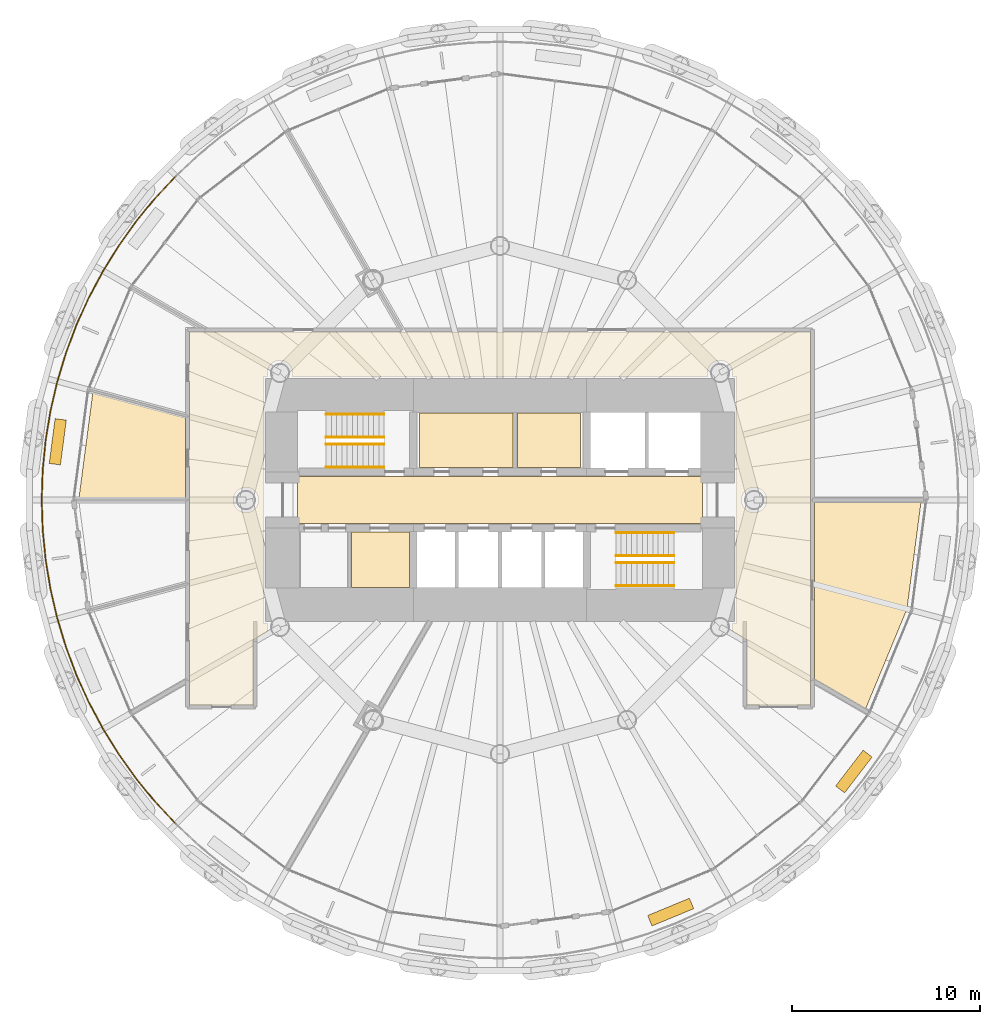
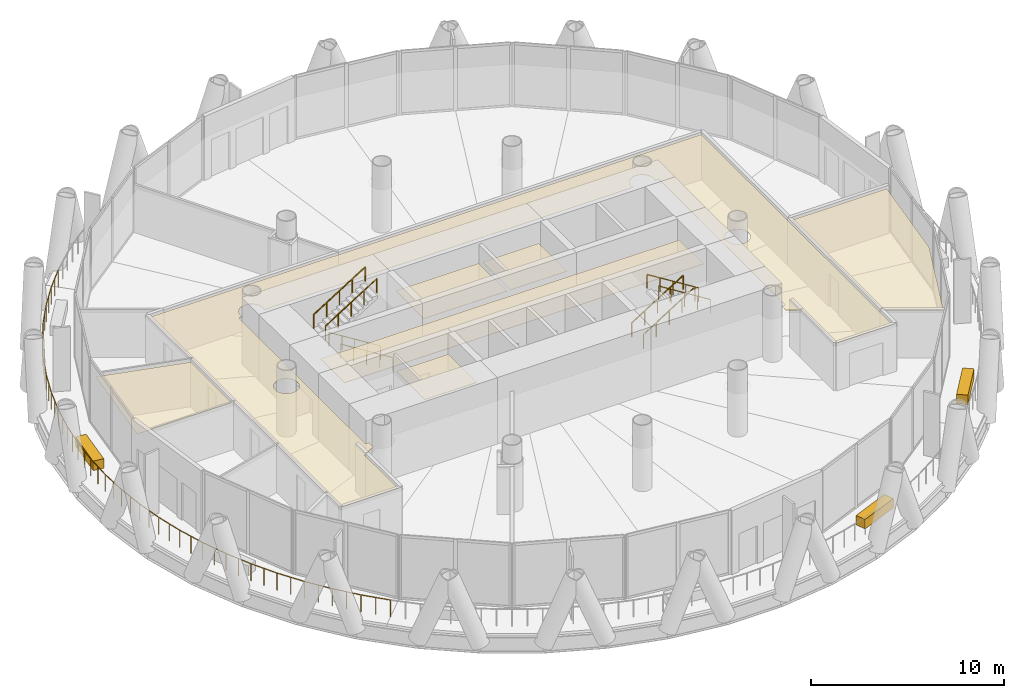
# One storey, part 13 of 15: 10 coverings, 9 railings.
"""IFC4 building model written with IfcOpenShell, lengths in metres."""

from ifc_helpers import new_model, si_unit, direction, frame, origin, origin_2d, place, context, subcontext, project, spatial, polyline, rectangle, circle, outline, extrude, material, layer, layer_set, type_object, element, save


model = new_model("IFC4")

# Units and contexts
model_context = context("Model", 3, precision=1e-05, world=origin(), true_north=direction((0.0, 1.0)))
body_context = subcontext(model_context, "Body", "Model", "MODEL_VIEW")
ifc_project = project(units=[si_unit("LENGTHUNIT", "METRE"), si_unit("AREAUNIT", "SQUARE_METRE"), si_unit("VOLUMEUNIT", "CUBIC_METRE"), si_unit("PLANEANGLEUNIT", "RADIAN"), si_unit("MASSUNIT", "GRAM", prefix="KILO")], contexts=[model_context])

# Site, building, storey
site_placement = place(None, origin())
site = spatial("IfcSite", under=ifc_project, at=site_placement, CompositionType="ELEMENT")
building_placement = place(site_placement, origin())
building = spatial("IfcBuilding", under=site, at=building_placement, Name="Qaws Media Tower", CompositionType="ELEMENT")
storey_placement = place(building_placement, frame((0.0, 0.0, 131.0)))
storey = spatial("IfcBuildingStorey", under=building, at=storey_placement, Name="L29", CompositionType="ELEMENT", Elevation=131.0)

# Railing
ifc_material_1 = material(Name="Stainless steel and glass guard", Category="steel")
railing_type_1 = type_object("IfcRailingType", Name="Balcony guard 1100", PredefinedType="GUARDRAIL", material=ifc_material_1)
railing_placement = place(storey_placement, frame((42.781982421875, 67.218017578125, 0.0)))
element("IfcRailing", 1, at=railing_placement, inside=storey, type_object=railing_type_1, Name="GR1 balcony guard L29-2", PredefinedType="GUARDRAIL", context=body_context, shape_type="SweptSolid", body=[
    extrude(circle(Radius=0.02392578125, at=origin_2d()), frame((0.0, 0.0, 1.076171875), z_axis=(-0.683670954783, -0.729790398393, 0.0), x_axis=(0.729790398393, -0.683670954783, 0.0)), (0.0, 0.0, 1.0), 1.593505859375),
    extrude(circle(Radius=0.02392578125, at=origin_2d()), frame((-1.08935546875, -1.162841796875, 1.076171875), z_axis=(-0.634288437516, -0.773096486885, 0.0), x_axis=(0.773096486885, -0.634288437516, 0.0)), (0.0, 0.0, 1.0), 1.593505859375),
    extrude(circle(Radius=0.02392578125, at=origin_2d()), frame((-2.10009765625, -2.394775390625, 1.076171875), z_axis=(-0.582527376855, -0.812811082119, 0.0), x_axis=(0.812811082119, -0.582527376855, 0.0)), (0.0, 0.0, 1.0), 1.593505859375),
    extrude(circle(Radius=0.02392578125, at=origin_2d()), frame((-3.0283203125, -3.68994140625, 1.076171875), z_axis=(-0.528041654639, -0.849218470693, 0.0), x_axis=(0.849218470693, -0.528041654639, 0.0)), (0.0, 0.0, 1.0), 1.59326171875),
    extrude(circle(Radius=0.02392578125, at=origin_2d()), frame((-3.86962890625, -5.04296875, 1.076171875), z_axis=(-0.471438909814, -0.88189872112, 0.0), x_axis=(0.88189872112, -0.471438909814, 0.0)), (0.0, 0.0, 1.0), 1.593505859375),
    extrude(circle(Radius=0.02392578125, at=origin_2d()), frame((-4.620849609375, -6.4482421875, 1.076171875), z_axis=(-0.412752224471, -0.910843346133, 0.0), x_axis=(0.910843346133, -0.412752224471, 0.0)), (0.0, 0.0, 1.0), 1.593505859375),
    extrude(circle(Radius=0.02392578125, at=origin_2d()), frame((-5.278564453125, -7.899658203125, 1.076171875), z_axis=(-0.352265024025, -0.935900290014, 0.0), x_axis=(0.935900290014, -0.352265024025, 0.0)), (0.0, 0.0, 1.0), 1.59326171875),
    extrude(circle(Radius=0.02392578125, at=origin_2d()), frame((-5.83984375, -9.390869140625, 1.076171875), z_axis=(-0.290185988747, -0.956970267007, 0.0), x_axis=(0.956970267007, -0.290185988747, 0.0)), (0.0, 0.0, 1.0), 1.593505859375),
    extrude(circle(Radius=0.02392578125, at=origin_2d()), frame((-6.30224609375, -10.915771484375, 1.076171875), z_axis=(-0.227074614975, -0.973877363549, 0.0), x_axis=(0.973877363549, -0.227074614975, 0.0)), (0.0, 0.0, 1.0), 1.59326171875),
    extrude(circle(Radius=0.02392578125, at=origin_2d()), frame((-6.6640625, -12.467529296875, 1.076171875), z_axis=(-0.162858441071, -0.986649445432, 0.0), x_axis=(0.986649445432, -0.162858441071, 0.0)), (0.0, 0.0, 1.0), 1.593505859375),
    extrude(circle(Radius=0.02392578125, at=origin_2d()), frame((-6.923583984375, -14.039794921875, 1.076171875), z_axis=(-0.09806241273, -0.99518026669, 0.0), x_axis=(0.99518026669, -0.09806241273, 0.0)), (0.0, 0.0, 1.0), 1.59326171875),
    extrude(circle(Radius=0.02392578125, at=origin_2d()), frame((-7.079833984375, -15.62548828125, 1.076171875), z_axis=(-0.032789349828, -0.9994622847, 0.0), x_axis=(0.9994622847, -0.032789349828, 0.0)), (0.0, 0.0, 1.0), 1.593505859375),
    extrude(circle(Radius=0.02392578125, at=origin_2d()), frame((-7.132080078125, -17.218017578125, 1.076171875), z_axis=(0.032789349828, -0.9994622847, 0.0), x_axis=(0.9994622847, 0.032789349828, 0.0)), (0.0, 0.0, 1.0), 1.593505859375),
    extrude(circle(Radius=0.02392578125, at=origin_2d()), frame((-7.079833984375, -18.810546875, 1.076171875), z_axis=(0.09806241273, -0.99518026669, 0.0), x_axis=(0.99518026669, 0.09806241273, 0.0)), (0.0, 0.0, 1.0), 1.59326171875),
    extrude(circle(Radius=0.02392578125, at=origin_2d()), frame((-6.923583984375, -20.396240234375, 1.076171875), z_axis=(0.162858441071, -0.986649445432, 0.0), x_axis=(0.986649445432, 0.162858441071, 0.0)), (0.0, 0.0, 1.0), 1.593505859375),
    extrude(circle(Radius=0.02392578125, at=origin_2d()), frame((-6.6640625, -21.968505859375, 1.076171875), z_axis=(0.227074614975, -0.973877363549, 0.0), x_axis=(0.973877363549, 0.227074614975, 0.0)), (0.0, 0.0, 1.0), 1.59326171875),
    extrude(circle(Radius=0.02392578125, at=origin_2d()), frame((-6.30224609375, -23.520263671875, 1.076171875), z_axis=(0.290185988747, -0.956970267007, 0.0), x_axis=(0.956970267007, 0.290185988747, 0.0)), (0.0, 0.0, 1.0), 1.593505859375),
    extrude(circle(Radius=0.02392578125, at=origin_2d()), frame((-5.83984375, -25.045166015625, 1.076171875), z_axis=(0.352265024025, -0.935900290014, 0.0), x_axis=(0.935900290014, 0.352265024025, 0.0)), (0.0, 0.0, 1.0), 1.59326171875),
    extrude(circle(Radius=0.02392578125, at=origin_2d()), frame((-5.278564453125, -26.536376953125, 1.076171875), z_axis=(0.412752224471, -0.910843346133, 0.0), x_axis=(0.910843346133, 0.412752224471, 0.0)), (0.0, 0.0, 1.0), 1.593505859375),
    extrude(circle(Radius=0.02392578125, at=origin_2d()), frame((-4.620849609375, -27.98779296875, 1.076171875), z_axis=(0.471438909814, -0.88189872112, 0.0), x_axis=(0.88189872112, 0.471438909814, 0.0)), (0.0, 0.0, 1.0), 1.593505859375),
    extrude(circle(Radius=0.02392578125, at=origin_2d()), frame((-3.86962890625, -29.39306640625, 1.076171875), z_axis=(0.528041654639, -0.849218470693, 0.0), x_axis=(0.849218470693, 0.528041654639, 0.0)), (0.0, 0.0, 1.0), 1.59326171875),
    extrude(circle(Radius=0.02392578125, at=origin_2d()), frame((-3.0283203125, -30.74609375, 1.076171875), z_axis=(0.582527376855, -0.812811082119, 0.0), x_axis=(0.812811082119, 0.582527376855, 0.0)), (0.0, 0.0, 1.0), 1.593505859375),
    extrude(circle(Radius=0.02392578125, at=origin_2d()), frame((-2.10009765625, -32.041259765625, 1.076171875), z_axis=(0.634288437516, -0.773096486885, 0.0), x_axis=(0.773096486885, 0.634288437516, 0.0)), (0.0, 0.0, 1.0), 1.593505859375),
    extrude(circle(Radius=0.02392578125, at=origin_2d()), frame((-1.08935546875, -33.273193359375, 1.076171875), z_axis=(0.683670954783, -0.729790398393, 0.0), x_axis=(0.729790398393, 0.683670954783, 0.0)), (0.0, 0.0, 1.0), 1.593505859375),
    extrude(circle(Radius=0.02099609375, at=origin_2d()), origin(), (0.0, 0.0, 1.0), 1.052001953125),
    extrude(circle(Radius=0.02099609375, at=origin_2d()), frame((-0.544677734375, -0.58154296875, 0.0)), (0.0, 0.0, 1.0), 1.052001953125),
    extrude(circle(Radius=0.02099609375, at=origin_2d()), frame((-1.08935546875, -1.162841796875, 0.0)), (0.0, 0.0, 1.0), 1.052001953125),
    extrude(circle(Radius=0.02099609375, at=origin_2d()), frame((-1.5947265625, -1.77880859375, 0.0)), (0.0, 0.0, 1.0), 1.052001953125),
    extrude(circle(Radius=0.02099609375, at=origin_2d()), frame((-2.10009765625, -2.394775390625, 0.0)), (0.0, 0.0, 1.0), 1.052001953125),
    extrude(circle(Radius=0.02099609375, at=origin_2d()), frame((-2.564208984375, -3.04248046875, 0.0)), (0.0, 0.0, 1.0), 1.052001953125),
    extrude(circle(Radius=0.02099609375, at=origin_2d()), frame((-3.0283203125, -3.68994140625, 0.0)), (0.0, 0.0, 1.0), 1.052001953125),
    extrude(circle(Radius=0.02099609375, at=origin_2d()), frame((-3.448974609375, -4.366455078125, 0.0)), (0.0, 0.0, 1.0), 1.052001953125),
    extrude(circle(Radius=0.02099609375, at=origin_2d()), frame((-3.86962890625, -5.04296875, 0.0)), (0.0, 0.0, 1.0), 1.052001953125),
    extrude(circle(Radius=0.02099609375, at=origin_2d()), frame((-4.2451171875, -5.74560546875, 0.0)), (0.0, 0.0, 1.0), 1.052001953125),
    extrude(circle(Radius=0.02099609375, at=origin_2d()), frame((-4.620849609375, -6.4482421875, 0.0)), (0.0, 0.0, 1.0), 1.052001953125),
    extrude(circle(Radius=0.02099609375, at=origin_2d()), frame((-4.94970703125, -7.173828125, 0.0)), (0.0, 0.0, 1.0), 1.052001953125),
    extrude(circle(Radius=0.02099609375, at=origin_2d()), frame((-5.278564453125, -7.899658203125, 0.0)), (0.0, 0.0, 1.0), 1.052001953125),
    extrude(circle(Radius=0.02099609375, at=origin_2d()), frame((-5.55908203125, -8.645263671875, 0.0)), (0.0, 0.0, 1.0), 1.052001953125),
    extrude(circle(Radius=0.02099609375, at=origin_2d()), frame((-5.83984375, -9.390869140625, 0.0)), (0.0, 0.0, 1.0), 1.052001953125),
    extrude(circle(Radius=0.02099609375, at=origin_2d()), frame((-6.071044921875, -10.1533203125, 0.0)), (0.0, 0.0, 1.0), 1.052001953125),
    extrude(circle(Radius=0.02099609375, at=origin_2d()), frame((-6.30224609375, -10.915771484375, 0.0)), (0.0, 0.0, 1.0), 1.052001953125),
    extrude(circle(Radius=0.02099609375, at=origin_2d()), frame((-6.483154296875, -11.691650390625, 0.0)), (0.0, 0.0, 1.0), 1.052001953125),
    extrude(circle(Radius=0.02099609375, at=origin_2d()), frame((-6.6640625, -12.467529296875, 0.0)), (0.0, 0.0, 1.0), 1.052001953125),
    extrude(circle(Radius=0.02099609375, at=origin_2d()), frame((-6.7939453125, -13.253662109375, 0.0)), (0.0, 0.0, 1.0), 1.052001953125),
    extrude(circle(Radius=0.02099609375, at=origin_2d()), frame((-6.923583984375, -14.039794921875, 0.0)), (0.0, 0.0, 1.0), 1.052001953125),
    extrude(circle(Radius=0.02099609375, at=origin_2d()), frame((-7.001708984375, -14.83251953125, 0.0)), (0.0, 0.0, 1.0), 1.052001953125),
    extrude(circle(Radius=0.02099609375, at=origin_2d()), frame((-7.079833984375, -15.62548828125, 0.0)), (0.0, 0.0, 1.0), 1.052001953125),
    extrude(circle(Radius=0.02099609375, at=origin_2d()), frame((-7.10595703125, -16.421875, 0.0)), (0.0, 0.0, 1.0), 1.052001953125),
    extrude(circle(Radius=0.02099609375, at=origin_2d()), frame((-7.132080078125, -17.218017578125, 0.0)), (0.0, 0.0, 1.0), 1.052001953125),
    extrude(circle(Radius=0.02099609375, at=origin_2d()), frame((-7.10595703125, -18.01416015625, 0.0)), (0.0, 0.0, 1.0), 1.052001953125),
    extrude(circle(Radius=0.02099609375, at=origin_2d()), frame((-7.079833984375, -18.810546875, 0.0)), (0.0, 0.0, 1.0), 1.052001953125),
    extrude(circle(Radius=0.02099609375, at=origin_2d()), frame((-7.001708984375, -19.603515625, 0.0)), (0.0, 0.0, 1.0), 1.052001953125),
    extrude(circle(Radius=0.02099609375, at=origin_2d()), frame((-6.923583984375, -20.396240234375, 0.0)), (0.0, 0.0, 1.0), 1.052001953125),
    extrude(circle(Radius=0.02099609375, at=origin_2d()), frame((-6.7939453125, -21.182373046875, 0.0)), (0.0, 0.0, 1.0), 1.052001953125),
    extrude(circle(Radius=0.02099609375, at=origin_2d()), frame((-6.6640625, -21.968505859375, 0.0)), (0.0, 0.0, 1.0), 1.052001953125),
    extrude(circle(Radius=0.02099609375, at=origin_2d()), frame((-6.483154296875, -22.744384765625, 0.0)), (0.0, 0.0, 1.0), 1.052001953125),
    extrude(circle(Radius=0.02099609375, at=origin_2d()), frame((-6.30224609375, -23.520263671875, 0.0)), (0.0, 0.0, 1.0), 1.052001953125),
    extrude(circle(Radius=0.02099609375, at=origin_2d()), frame((-6.071044921875, -24.28271484375, 0.0)), (0.0, 0.0, 1.0), 1.052001953125),
    extrude(circle(Radius=0.02099609375, at=origin_2d()), frame((-5.83984375, -25.045166015625, 0.0)), (0.0, 0.0, 1.0), 1.052001953125),
    extrude(circle(Radius=0.02099609375, at=origin_2d()), frame((-5.55908203125, -25.790771484375, 0.0)), (0.0, 0.0, 1.0), 1.052001953125),
    extrude(circle(Radius=0.02099609375, at=origin_2d()), frame((-5.278564453125, -26.536376953125, 0.0)), (0.0, 0.0, 1.0), 1.052001953125),
    extrude(circle(Radius=0.02099609375, at=origin_2d()), frame((-4.94970703125, -27.26220703125, 0.0)), (0.0, 0.0, 1.0), 1.052001953125),
    extrude(circle(Radius=0.02099609375, at=origin_2d()), frame((-4.620849609375, -27.98779296875, 0.0)), (0.0, 0.0, 1.0), 1.052001953125),
    extrude(circle(Radius=0.02099609375, at=origin_2d()), frame((-4.2451171875, -28.6904296875, 0.0)), (0.0, 0.0, 1.0), 1.052001953125),
    extrude(circle(Radius=0.02099609375, at=origin_2d()), frame((-3.86962890625, -29.39306640625, 0.0)), (0.0, 0.0, 1.0), 1.052001953125),
    extrude(circle(Radius=0.02099609375, at=origin_2d()), frame((-3.448974609375, -30.069580078125, 0.0)), (0.0, 0.0, 1.0), 1.052001953125),
    extrude(circle(Radius=0.02099609375, at=origin_2d()), frame((-3.0283203125, -30.74609375, 0.0)), (0.0, 0.0, 1.0), 1.052001953125),
    extrude(circle(Radius=0.02099609375, at=origin_2d()), frame((-2.564208984375, -31.3935546875, 0.0)), (0.0, 0.0, 1.0), 1.052001953125),
    extrude(circle(Radius=0.02099609375, at=origin_2d()), frame((-2.10009765625, -32.041259765625, 0.0)), (0.0, 0.0, 1.0), 1.052001953125),
    extrude(circle(Radius=0.02099609375, at=origin_2d()), frame((-1.5947265625, -32.6572265625, 0.0)), (0.0, 0.0, 1.0), 1.052001953125),
    extrude(circle(Radius=0.02099609375, at=origin_2d()), frame((-1.08935546875, -33.273193359375, 0.0)), (0.0, 0.0, 1.0), 1.052001953125),
    extrude(circle(Radius=0.02099609375, at=origin_2d()), frame((-0.544677734375, -33.8544921875, 0.0)), (0.0, 0.0, 1.0), 1.052001953125),
    extrude(circle(Radius=0.02099609375, at=origin_2d()), frame((0.0, -34.43603515625, 0.0)), (0.0, 0.0, 1.0), 1.052001953125),
])

# Coverings
ifc_material_2 = material(Name="600 x 600 mineral fibre tiles in exposed grid, suspended", Category="mineral fibre")
ifc_layer_1 = layer(ifc_material_2, 0.02001953125)
ifc_layer_set_1 = layer_set([ifc_layer_1], Name="Mineral fibre tile ceiling 20")
covering_type_1 = type_object("IfcCoveringType", Name="Mineral fibre tile ceiling 20", PredefinedType="CEILING", material=ifc_layer_set_1)
covering_1_placement = place(storey_placement, frame((0.0, 0.0, 2.85009765625)))
element("IfcCovering", 2, at=covering_1_placement, inside=storey, type_object=covering_type_1, Name="CL1 ceiling L29-C07 Gents toilets", PredefinedType="CEILING", context=body_context, shape_type="SweptSolid", body=[
    extrude(outline(polyline([(55.719970703125, 51.719970703125), (55.719970703125, 54.6298828125), (60.679931640625, 54.6298828125), (60.679931640625, 51.719970703125), (55.719970703125, 51.719970703125)])), origin(), (0.0, 0.0, 1.0), 0.02001953125),
])
covering_2_placement = place(storey_placement, frame((0.0, 0.0, 2.85009765625)))
element("IfcCovering", 3, at=covering_2_placement, inside=storey, type_object=covering_type_1, Name="CL1 ceiling L29-C08 Ladies toilets", PredefinedType="CEILING", context=body_context, shape_type="SweptSolid", body=[
    extrude(outline(polyline([(60.919921875, 51.719970703125), (60.919921875, 54.6298828125), (64.280029296875, 54.6298828125), (64.280029296875, 51.719970703125), (60.919921875, 51.719970703125)])), origin(), (0.0, 0.0, 1.0), 0.02001953125),
])
covering_3_placement = place(storey_placement, frame((0.0, 0.0, 2.85009765625)))
element("IfcCovering", 4, at=covering_3_placement, inside=storey, type_object=covering_type_1, Name="CL1 ceiling L29-01 Corridor", PredefinedType="CEILING", context=body_context, shape_type="SweptSolid", body=[
    extrude(outline(polyline([(43.512451171875, 39.112548828125), (43.512451171875, 58.9375), (76.487548828125, 58.9375), (76.487548828125, 39.112548828125), (73.112548828125, 39.112548828125), (73.112548828125, 42.559326171875), (72.31689453125, 43.018798828125), (72.336669921875, 43.0771484375), (72.353515625, 43.162841796875), (72.359375, 43.25), (72.353515625, 43.337158203125), (72.336669921875, 43.4228515625), (72.33154296875, 43.4375), (72.5625, 43.4375), (72.5625, 56.5625), (72.33154296875, 56.5625), (72.336669921875, 56.5771484375), (72.353515625, 56.662841796875), (72.359375, 56.75), (72.353515625, 56.837158203125), (72.336669921875, 56.9228515625), (72.30859375, 57.005615234375), (72.269775390625, 57.083984375), (72.22119140625, 57.15673828125), (72.163818359375, 57.222412109375), (72.097900390625, 57.280029296875), (72.025390625, 57.32861328125), (71.947021484375, 57.3671875), (71.8642578125, 57.395263671875), (71.778564453125, 57.412353515625), (71.69140625, 57.41796875), (71.604248046875, 57.412353515625), (71.5185546875, 57.395263671875), (71.435791015625, 57.3671875), (71.357421875, 57.32861328125), (71.28466796875, 57.280029296875), (71.218994140625, 57.222412109375), (71.161376953125, 57.15673828125), (71.11279296875, 57.083984375), (71.07421875, 57.005615234375), (71.046142578125, 56.9228515625), (71.029052734375, 56.837158203125), (71.023193359375, 56.75), (71.029052734375, 56.662841796875), (71.046142578125, 56.5771484375), (71.051025390625, 56.5625), (48.948974609375, 56.5625), (48.953857421875, 56.5771484375), (48.970947265625, 56.662841796875), (48.976806640625, 56.75), (48.970947265625, 56.837158203125), (48.953857421875, 56.9228515625), (48.92578125, 57.005615234375), (48.88720703125, 57.083984375), (48.838623046875, 57.15673828125), (48.781005859375, 57.222412109375), (48.71533203125, 57.280029296875), (48.642578125, 57.32861328125), (48.564208984375, 57.3671875), (48.4814453125, 57.395263671875), (48.395751953125, 57.412353515625), (48.30859375, 57.41796875), (48.221435546875, 57.412353515625), (48.1357421875, 57.395263671875), (48.052978515625, 57.3671875), (47.974609375, 57.32861328125), (47.902099609375, 57.280029296875), (47.836181640625, 57.222412109375), (47.77880859375, 57.15673828125), (47.730224609375, 57.083984375), (47.69140625, 57.005615234375), (47.663330078125, 56.9228515625), (47.646484375, 56.837158203125), (47.640625, 56.75), (47.646484375, 56.662841796875), (47.663330078125, 56.5771484375), (47.66845703125, 56.5625), (47.4375, 56.5625), (47.4375, 43.4375), (47.66845703125, 43.4375), (47.663330078125, 43.4228515625), (47.646484375, 43.337158203125), (47.640625, 43.25), (47.646484375, 43.162841796875), (47.663330078125, 43.0771484375), (47.68310546875, 43.018798828125), (46.887451171875, 42.559326171875), (46.887451171875, 39.112548828125), (43.512451171875, 39.112548828125)]), holes=[polyline([(47.1171875, 49.744384765625), (47.145263671875, 49.8271484375), (47.162353515625, 49.912841796875), (47.16796875, 50.0), (47.162353515625, 50.087158203125), (47.145263671875, 50.1728515625), (47.1171875, 50.255615234375), (47.07861328125, 50.333984375), (47.030029296875, 50.40673828125), (46.972412109375, 50.472412109375), (46.90673828125, 50.530029296875), (46.833984375, 50.57861328125), (46.755615234375, 50.6171875), (46.6728515625, 50.645263671875), (46.587158203125, 50.662353515625), (46.5, 50.66796875), (46.412841796875, 50.662353515625), (46.3271484375, 50.645263671875), (46.244384765625, 50.6171875), (46.166015625, 50.57861328125), (46.09326171875, 50.530029296875), (46.027587890625, 50.472412109375), (45.969970703125, 50.40673828125), (45.92138671875, 50.333984375), (45.8828125, 50.255615234375), (45.854736328125, 50.1728515625), (45.837646484375, 50.087158203125), (45.83203125, 50.0), (45.837646484375, 49.912841796875), (45.854736328125, 49.8271484375), (45.8828125, 49.744384765625), (45.92138671875, 49.666015625), (45.969970703125, 49.59326171875), (46.027587890625, 49.527587890625), (46.09326171875, 49.469970703125), (46.166015625, 49.42138671875), (46.244384765625, 49.3828125), (46.3271484375, 49.354736328125), (46.412841796875, 49.337646484375), (46.5, 49.33203125), (46.587158203125, 49.337646484375), (46.6728515625, 49.354736328125), (46.755615234375, 49.3828125), (46.833984375, 49.42138671875), (46.90673828125, 49.469970703125), (46.972412109375, 49.527587890625), (47.030029296875, 49.59326171875), (47.07861328125, 49.666015625), (47.1171875, 49.744384765625)]), polyline([(74.145263671875, 49.8271484375), (74.162353515625, 49.912841796875), (74.16796875, 50.0), (74.162353515625, 50.087158203125), (74.145263671875, 50.1728515625), (74.1171875, 50.255615234375), (74.07861328125, 50.333984375), (74.030029296875, 50.40673828125), (73.972412109375, 50.472412109375), (73.90673828125, 50.530029296875), (73.833984375, 50.57861328125), (73.755615234375, 50.6171875), (73.6728515625, 50.645263671875), (73.587158203125, 50.662353515625), (73.5, 50.66796875), (73.412841796875, 50.662353515625), (73.3271484375, 50.645263671875), (73.244384765625, 50.6171875), (73.166015625, 50.57861328125), (73.09326171875, 50.530029296875), (73.027587890625, 50.472412109375), (72.969970703125, 50.40673828125), (72.92138671875, 50.333984375), (72.8828125, 50.255615234375), (72.854736328125, 50.1728515625), (72.837646484375, 50.087158203125), (72.83203125, 50.0), (72.837646484375, 49.912841796875), (72.854736328125, 49.8271484375), (72.8828125, 49.744384765625), (72.92138671875, 49.666015625), (72.969970703125, 49.59326171875), (73.027587890625, 49.527587890625), (73.09326171875, 49.469970703125), (73.166015625, 49.42138671875), (73.244384765625, 49.3828125), (73.3271484375, 49.354736328125), (73.412841796875, 49.337646484375), (73.5, 49.33203125), (73.587158203125, 49.337646484375), (73.6728515625, 49.354736328125), (73.755615234375, 49.3828125), (73.833984375, 49.42138671875), (73.90673828125, 49.469970703125), (73.972412109375, 49.527587890625), (74.030029296875, 49.59326171875), (74.07861328125, 49.666015625), (74.1171875, 49.744384765625), (74.145263671875, 49.8271484375)])]), origin(), (0.0, 0.0, 1.0), 0.02001953125),
])
covering_4_placement = place(storey_placement, frame((0.0, 0.0, 2.85009765625)))
element("IfcCovering", 5, at=covering_4_placement, inside=storey, type_object=covering_type_1, Name="CL1 ceiling L29-05 Office", PredefinedType="CEILING", context=body_context, shape_type="SweptSolid", body=[
    extrude(outline(polyline([(38.36279296875, 55.68115234375), (43.28759765625, 54.361572265625), (43.28759765625, 50.112548828125), (37.629638671875, 50.112548828125), (38.36279296875, 55.68115234375)])), origin(), (0.0, 0.0, 1.0), 0.02001953125),
])
covering_5_placement = place(storey_placement, frame((0.0, 0.0, 2.85009765625)))
element("IfcCovering", 6, at=covering_5_placement, inside=storey, type_object=covering_type_1, Name="CL1 ceiling L29-10 Finance office", PredefinedType="CEILING", context=body_context, shape_type="SweptSolid", body=[
    extrude(outline(polyline([(81.62255859375, 44.206298828125), (79.4296875, 38.912109375), (76.71240234375, 40.48095703125), (76.71240234375, 49.887451171875), (82.370361328125, 49.887451171875), (81.62255859375, 44.206298828125)])), origin(), (0.0, 0.0, 1.0), 0.02001953125),
])
ifc_material_3 = material(Name="Precast concrete planter with trailing planting", Category="concrete")
ifc_layer_2 = layer(ifc_material_3, 0.60009765625)
ifc_layer_set_2 = layer_set([ifc_layer_2], Name="Planter 2400x600")
covering_type_2 = type_object("IfcCoveringType", Name="Planter 2400x600", PredefinedType="USERDEFINED", material=ifc_layer_set_2)
for number, where, z_axis, x_axis, name in (
    (7, (36.502685546875, 53.093505859375, 0.0), (0.0, 0.0, 1.0), (-0.13052619222, -0.991444861374, 0.0), "PL1 balcony planter L29-06"),
    (8, (69.069580078125, 28.10400390625, 0.0), (0.0, 0.0, 1.0), (0.923879532511, 0.382683432365, 0.0), "PL1 balcony planter L29-10"),
    (9, (78.802490234375, 35.572265625, 0.0), (0.0, 0.0, 1.0), (0.608761429009, 0.793353340291, 0.0), "PL1 balcony planter L29-11"),
):
    element("IfcCovering", number, at=place(storey_placement, frame(where, z_axis=z_axis, x_axis=x_axis)), inside=storey, type_object=covering_type_2, Name=name, ObjectType="PLANTER", PredefinedType="USERDEFINED", context=body_context, shape_type="SweptSolid", body=[
        extrude(rectangle(XDim=2.39990234375, YDim=0.60009765625, at=origin_2d()), origin(), (0.0, 0.0, 1.0), 0.60009765625),
    ])
ifc_material_4 = material(Name="Two layers 12.5 moisture-resistant plasterboard on suspended metal furring", Category="gypsum")
ifc_layer_3 = layer(ifc_material_4, 0.02490234375)
ifc_layer_set_3 = layer_set([ifc_layer_3], Name="Plasterboard ceiling 25")
covering_type_3 = type_object("IfcCoveringType", Name="Plasterboard ceiling 25", PredefinedType="CEILING", material=ifc_layer_set_3)
covering_6_placement = place(storey_placement, frame((0.0, 0.0, 2.85009765625)))
element("IfcCovering", 10, at=covering_6_placement, inside=storey, type_object=covering_type_3, Name="CL2 ceiling L29-C01 Lift lobby", PredefinedType="CEILING", context=body_context, shape_type="SweptSolid", body=[
    extrude(outline(polyline([(49.25, 48.75), (49.25, 51.25), (70.75, 51.25), (70.75, 48.75), (49.25, 48.75)])), origin(), (0.0, 0.0, 1.0), 0.02490234375),
])
covering_7_placement = place(storey_placement, frame((0.0, 0.0, 2.85009765625)))
element("IfcCovering", 11, at=covering_7_placement, inside=storey, type_object=covering_type_3, Name="CL2 ceiling L29-C05 Accessible WC", PredefinedType="CEILING", context=body_context, shape_type="SweptSolid", body=[
    extrude(outline(polyline([(52.10009765625, 45.35009765625), (52.10009765625, 48.300048828125), (55.199951171875, 48.300048828125), (55.199951171875, 45.35009765625), (52.10009765625, 45.35009765625)])), origin(), (0.0, 0.0, 1.0), 0.02490234375),
])

# Railings
ifc_material_5 = material(Name="Steel tube handrail", Category="steel")
railing_type_2 = type_object("IfcRailingType", Name="Stair handrail 900", PredefinedType="HANDRAIL", material=ifc_material_5)
for number, where, name in (
    (12, (53.840087890625, 51.75, 0.175048828125), "HR1 handrail S1 flight 1 L29"),
    (13, (53.840087890625, 52.9599609375, 0.175048828125), "HR1 handrail S1 flight 1 L29"),
):
    element("IfcRailing", number, at=place(storey_placement, frame(where)), inside=storey, type_object=railing_type_2, Name=name, PredefinedType="HANDRAIL", context=body_context, shape_type="SweptSolid", body=[
        extrude(circle(Radius=0.02392578125, at=origin_2d()), frame((0.0, 0.0, 0.8759765625), z_axis=(-0.847998304005, 0.0, 0.529998940003), x_axis=(0.0, -1.0, 0.0)), (0.0, 0.0, 1.0), 3.632080078125),
        extrude(circle(Radius=0.02099609375, at=origin_2d()), origin(), (0.0, 0.0, 1.0), 0.851806640625),
        extrude(circle(Radius=0.02099609375, at=origin_2d()), frame((-0.77001953125, 0.0, 0.481201171875)), (0.0, 0.0, 1.0), 0.851806640625),
        extrude(circle(Radius=0.02099609375, at=origin_2d()), frame((-1.5400390625, 0.0, 0.96240234375)), (0.0, 0.0, 1.0), 0.851806640625),
        extrude(circle(Radius=0.02099609375, at=origin_2d()), frame((-2.31005859375, 0.0, 1.44384765625)), (0.0, 0.0, 1.0), 0.851806640625),
        extrude(circle(Radius=0.02099609375, at=origin_2d()), frame((-3.080078125, 0.0, 1.925048828125)), (0.0, 0.0, 1.0), 0.851806640625),
    ])
for number, where, name in (
    (14, (50.760009765625, 54.550048828125, 2.27490234375), "HR1 handrail S1 flight 2 L29"),
    (15, (50.760009765625, 53.340087890625, 2.27490234375), "HR1 handrail S1 flight 2 L29"),
    (16, (66.159912109375, 48.25, 0.175048828125), "HR1 handrail S2 flight 1 L29"),
    (17, (66.159912109375, 47.0400390625, 0.175048828125), "HR1 handrail S2 flight 1 L29"),
):
    element("IfcRailing", number, at=place(storey_placement, frame(where)), inside=storey, type_object=railing_type_2, Name=name, PredefinedType="HANDRAIL", context=body_context, shape_type="SweptSolid", body=[
        extrude(circle(Radius=0.02392578125, at=origin_2d()), frame((0.0, 0.0, 0.8759765625), z_axis=(0.847998304005, 0.0, 0.529998940003), x_axis=(0.0, 1.0, 0.0)), (0.0, 0.0, 1.0), 3.632080078125),
        extrude(circle(Radius=0.02099609375, at=origin_2d()), origin(), (0.0, 0.0, 1.0), 0.851806640625),
        extrude(circle(Radius=0.02099609375, at=origin_2d()), frame((0.77001953125, 0.0, 0.481201171875)), (0.0, 0.0, 1.0), 0.851806640625),
        extrude(circle(Radius=0.02099609375, at=origin_2d()), frame((1.5400390625, 0.0, 0.96240234375)), (0.0, 0.0, 1.0), 0.851806640625),
        extrude(circle(Radius=0.02099609375, at=origin_2d()), frame((2.31005859375, 0.0, 1.44384765625)), (0.0, 0.0, 1.0), 0.851806640625),
        extrude(circle(Radius=0.02099609375, at=origin_2d()), frame((3.080078125, 0.0, 1.925048828125)), (0.0, 0.0, 1.0), 0.851806640625),
    ])
for number, where, name in (
    (18, (69.239990234375, 45.449951171875, 2.27490234375), "HR1 handrail S2 flight 2 L29"),
    (19, (69.239990234375, 46.659912109375, 2.27490234375), "HR1 handrail S2 flight 2 L29"),
):
    element("IfcRailing", number, at=place(storey_placement, frame(where)), inside=storey, type_object=railing_type_2, Name=name, PredefinedType="HANDRAIL", context=body_context, shape_type="SweptSolid", body=[
        extrude(circle(Radius=0.02392578125, at=origin_2d()), frame((0.0, 0.0, 0.8759765625), z_axis=(-0.847998304005, 0.0, 0.529998940003), x_axis=(0.0, -1.0, 0.0)), (0.0, 0.0, 1.0), 3.632080078125),
        extrude(circle(Radius=0.02099609375, at=origin_2d()), origin(), (0.0, 0.0, 1.0), 0.851806640625),
        extrude(circle(Radius=0.02099609375, at=origin_2d()), frame((-0.77001953125, 0.0, 0.481201171875)), (0.0, 0.0, 1.0), 0.851806640625),
        extrude(circle(Radius=0.02099609375, at=origin_2d()), frame((-1.5400390625, 0.0, 0.96240234375)), (0.0, 0.0, 1.0), 0.851806640625),
        extrude(circle(Radius=0.02099609375, at=origin_2d()), frame((-2.31005859375, 0.0, 1.44384765625)), (0.0, 0.0, 1.0), 0.851806640625),
        extrude(circle(Radius=0.02099609375, at=origin_2d()), frame((-3.080078125, 0.0, 1.925048828125)), (0.0, 0.0, 1.0), 0.851806640625),
    ])

save(model, "model.ifc")
